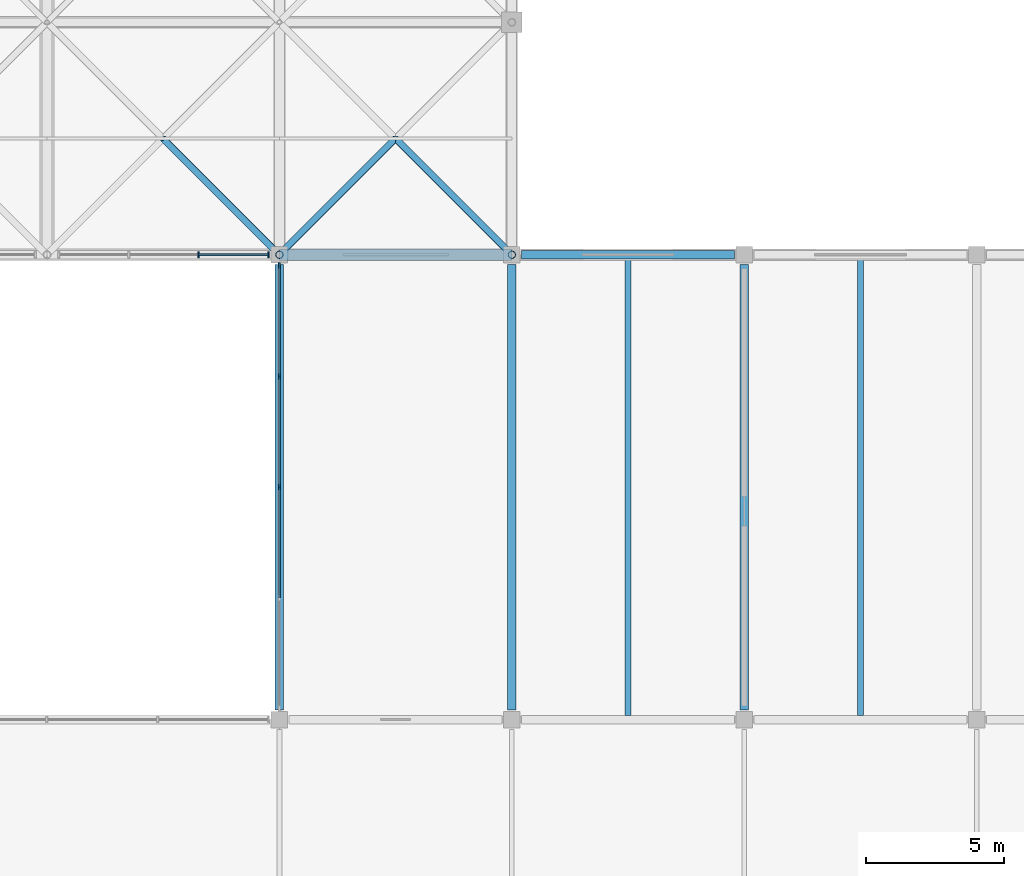
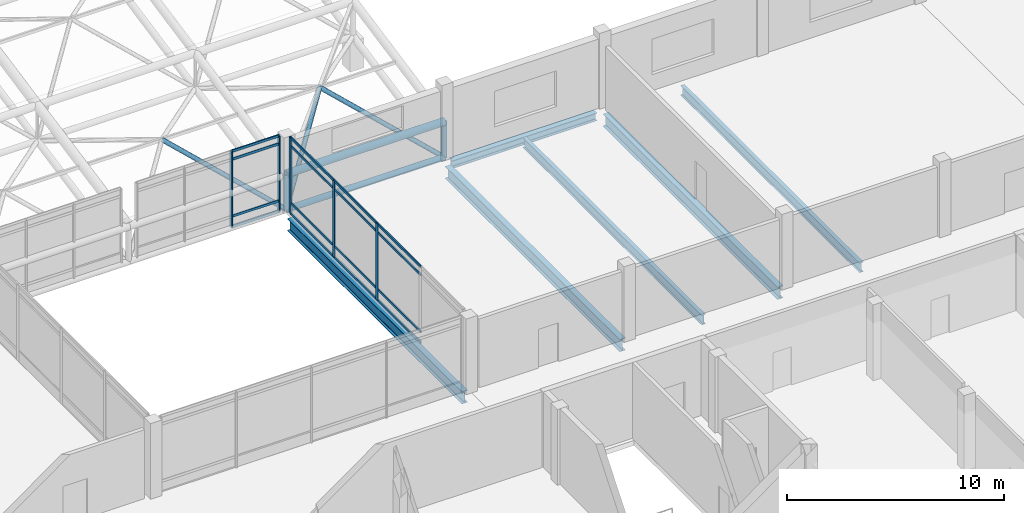
# One storey, part 22 of 81: 28 members, 6 beams, 2 elements without a shape of their own.
"""IFC4 building model written with IfcOpenShell, lengths in metres."""

from ifc_helpers import new_model, si_unit, direction, frame, origin, origin_2d, place, context, subcontext, project, spatial, rectangle, hollow_circle, i_section, extrude, material, layer, layer_set, material_profile, profile_set, type_object, element, aggregate, save


model = new_model("IFC4")

# Units and contexts
model_context = context("Model", 3, precision=1e-05, world=origin(), true_north=direction((0.0, 1.0)))
body_context = subcontext(model_context, "Body", "Model", "MODEL_VIEW")
ifc_project = project(units=[si_unit("LENGTHUNIT", "METRE"), si_unit("AREAUNIT", "SQUARE_METRE"), si_unit("VOLUMEUNIT", "CUBIC_METRE"), si_unit("PLANEANGLEUNIT", "RADIAN"), si_unit("MASSUNIT", "GRAM", prefix="KILO")], contexts=[model_context])

# Site, building, storey
site_placement = place(None, origin())
site = spatial("IfcSite", under=ifc_project, at=site_placement, CompositionType="ELEMENT")
building_placement = place(site_placement, origin())
building = spatial("IfcBuilding", under=site, at=building_placement, Name="Qawsi Khor Wholesale Market", CompositionType="ELEMENT")
storey_placement = place(building_placement, frame((0.0, 0.0, 16.199951171875)))
storey = spatial("IfcBuildingStorey", under=building, at=storey_placement, Name="L03", CompositionType="ELEMENT", Elevation=16.199951171875)

# Curtain wall, members
ifc_material_1 = material(Name="Aluminium Anodised Bronze", Category="aluminium")
ifc_layer = layer(ifc_material_1, 0.179931640625, Name="Aluminium Anodised Bronze")
ifc_layer_set = layer_set([ifc_layer], Name="Aluminium Anodised Bronze")
curtain_wall_type = type_object("IfcCurtainWallType", Name="Atrium Full-Height Curtain Wall CW-02", PredefinedType="NOTDEFINED", material=ifc_layer_set)
curtain_wall_1_placement = place(storey_placement, origin())
curtain_wall_1 = element("IfcCurtainWall", 1, at=curtain_wall_1_placement, inside=storey, type_object=curtain_wall_type, Name="Curtain wall CW-CW-02-L03-028", PredefinedType="NOTDEFINED")
ifc_material_profile_1 = material_profile(ifc_material_1, rectangle(XDim=0.070068359375, YDim=0.199951171875, at=origin_2d()), Name="ALU MULLION 70x200")
ifc_profile_set_1 = profile_set([ifc_material_profile_1], Name="Aluminium Anodised Bronze")
member_type_1 = type_object("IfcMemberType", Name="Curtain Wall Mullion CW-02 ALU MULLION 70x200", PredefinedType="MULLION", material=ifc_profile_set_1)
member_1_placement = place(storey_placement, frame((64.276611328125, 42.0, -0.02001953125), z_axis=(0.0, 0.0, 1.0), x_axis=(1.0, 0.0, 0.0)))
member_1 = element("IfcMember", 2, at=member_1_placement, type_object=member_type_1, Name="Mullion CW-CW-02-L03-028-M02", PredefinedType="MULLION", context=body_context, shape_type="SweptSolid", body=[
    extrude(rectangle(XDim=0.070068359375, YDim=0.199951171875, at=origin_2d()), origin(), (0.0, 0.0, 1.0), 4.280029296875),
])
member_2_placement = place(storey_placement, frame((66.804931640625, 42.0, -0.02001953125), z_axis=(0.0, 0.0, 1.0), x_axis=(1.0, 0.0, 0.0)))
member_2 = element("IfcMember", 3, at=member_2_placement, type_object=member_type_1, Name="Mullion CW-CW-02-L03-028-M03", PredefinedType="MULLION", context=body_context, shape_type="SweptSolid", body=[
    extrude(rectangle(XDim=0.070068359375, YDim=0.199951171875, at=origin_2d()), origin(), (0.0, 0.0, 1.0), 4.280029296875),
])

curtain_wall_2_placement = place(storey_placement, origin())
curtain_wall_2 = element("IfcCurtainWall", 4, at=curtain_wall_2_placement, inside=storey, type_object=curtain_wall_type, Name="Curtain wall CW-CW-02-L03-030", PredefinedType="NOTDEFINED")
member_3_placement = place(storey_placement, frame((67.199951171875, 33.60009765625, -0.02001953125), z_axis=(0.0, 0.0, 1.0), x_axis=(1.0, 0.0, 0.0)))
member_3 = element("IfcMember", 5, at=member_3_placement, type_object=member_type_1, Name="Mullion CW-CW-02-L03-030-M02", PredefinedType="MULLION", context=body_context, shape_type="SweptSolid", body=[
    extrude(rectangle(XDim=0.070068359375, YDim=0.199951171875, at=origin_2d()), origin(), (0.0, 0.0, 1.0), 4.280029296875),
])
member_4_placement = place(storey_placement, frame((67.199951171875, 37.6025390625, -0.02001953125), z_axis=(0.0, 0.0, 1.0), x_axis=(1.0, 0.0, 0.0)))
member_4 = element("IfcMember", 6, at=member_4_placement, type_object=member_type_1, Name="Mullion CW-CW-02-L03-030-M03", PredefinedType="MULLION", context=body_context, shape_type="SweptSolid", body=[
    extrude(rectangle(XDim=0.070068359375, YDim=0.199951171875, at=origin_2d()), origin(), (0.0, 0.0, 1.0), 4.280029296875),
])
member_5_placement = place(storey_placement, frame((67.199951171875, 41.60498046875, -0.02001953125), z_axis=(0.0, 0.0, 1.0), x_axis=(1.0, 0.0, 0.0)))
member_5 = element("IfcMember", 7, at=member_5_placement, type_object=member_type_1, Name="Mullion CW-CW-02-L03-030-M04", PredefinedType="MULLION", context=body_context, shape_type="SweptSolid", body=[
    extrude(rectangle(XDim=0.070068359375, YDim=0.199951171875, at=origin_2d()), origin(), (0.0, 0.0, 1.0), 4.280029296875),
])

# Member
ifc_material_profile_2 = material_profile(ifc_material_1, rectangle(XDim=0.06494140625, YDim=0.139892578125, at=origin_2d()), Name="ALU TRANSOM 65x140")
ifc_profile_set_2 = profile_set([ifc_material_profile_2], Name="Aluminium Anodised Bronze")
member_type_2 = type_object("IfcMemberType", Name="Curtain Wall Transom CW-02 ALU TRANSOM 65x140", PredefinedType="USERDEFINED", material=ifc_profile_set_2)
member_6_placement = place(storey_placement, frame((64.276611328125, 42.0, 0.0), z_axis=(1.0, 0.0, 0.0), x_axis=(0.0, 1.0, 0.0)))
member_6 = element("IfcMember", 8, at=member_6_placement, type_object=member_type_2, Name="Transom CW-CW-02-L03-028-T0_02", ObjectType="TRANSOM", PredefinedType="USERDEFINED", context=body_context, shape_type="SweptSolid", body=[
    extrude(rectangle(XDim=0.06494140625, YDim=0.139892578125, at=origin_2d()), origin(), (0.0, 0.0, 1.0), 2.5283203125),
])

member_7_placement = place(storey_placement, frame((64.276611328125, 42.0, 0.60009765625), z_axis=(1.0, 0.0, 0.0), x_axis=(0.0, 1.0, 0.0)))
member_7 = element("IfcMember", 9, at=member_7_placement, type_object=member_type_2, Name="Transom CW-CW-02-L03-028-T1_02", ObjectType="TRANSOM", PredefinedType="USERDEFINED", context=body_context, shape_type="SweptSolid", body=[
    extrude(rectangle(XDim=0.06494140625, YDim=0.139892578125, at=origin_2d()), origin(), (0.0, 0.0, 1.0), 2.5283203125),
])

member_8_placement = place(storey_placement, frame((64.276611328125, 42.0, 3.81005859375), z_axis=(1.0, 0.0, 0.0), x_axis=(0.0, 1.0, 0.0)))
member_8 = element("IfcMember", 10, at=member_8_placement, type_object=member_type_2, Name="Transom CW-CW-02-L03-028-T2_02", ObjectType="TRANSOM", PredefinedType="USERDEFINED", context=body_context, shape_type="SweptSolid", body=[
    extrude(rectangle(XDim=0.06494140625, YDim=0.139892578125, at=origin_2d()), origin(), (0.0, 0.0, 1.0), 2.5283203125),
])

member_9_placement = place(storey_placement, frame((64.276611328125, 42.0, 4.260009765625), z_axis=(1.0, 0.0, 0.0), x_axis=(0.0, 1.0, 0.0)))
member_9 = element("IfcMember", 11, at=member_9_placement, type_object=member_type_2, Name="Transom CW-CW-02-L03-028-T3_02", ObjectType="TRANSOM", PredefinedType="USERDEFINED", context=body_context, shape_type="SweptSolid", body=[
    extrude(rectangle(XDim=0.06494140625, YDim=0.139892578125, at=origin_2d()), origin(), (0.0, 0.0, 1.0), 2.5283203125),
])

aggregate(curtain_wall_1, [member_1, member_2, member_6, member_7, member_8, member_9])

member_10_placement = place(storey_placement, frame((67.199951171875, 29.597412109375, 0.0), z_axis=(0.0, 1.0, 0.0), x_axis=(-1.0, 0.0, 0.0)))
member_10 = element("IfcMember", 12, at=member_10_placement, type_object=member_type_2, Name="Transom CW-CW-02-L03-030-T0_01", ObjectType="TRANSOM", PredefinedType="USERDEFINED", context=body_context, shape_type="SweptSolid", body=[
    extrude(rectangle(XDim=0.06494140625, YDim=0.139892578125, at=origin_2d()), origin(), (0.0, 0.0, 1.0), 4.002685546875),
])

member_11_placement = place(storey_placement, frame((67.199951171875, 33.60009765625, 0.0), z_axis=(0.0, 1.0, 0.0), x_axis=(-1.0, 0.0, 0.0)))
member_11 = element("IfcMember", 13, at=member_11_placement, type_object=member_type_2, Name="Transom CW-CW-02-L03-030-T0_02", ObjectType="TRANSOM", PredefinedType="USERDEFINED", context=body_context, shape_type="SweptSolid", body=[
    extrude(rectangle(XDim=0.06494140625, YDim=0.139892578125, at=origin_2d()), origin(), (0.0, 0.0, 1.0), 4.00244140625),
])

member_12_placement = place(storey_placement, frame((67.199951171875, 37.6025390625, 0.0), z_axis=(0.0, 1.0, 0.0), x_axis=(-1.0, 0.0, 0.0)))
member_12 = element("IfcMember", 14, at=member_12_placement, type_object=member_type_2, Name="Transom CW-CW-02-L03-030-T0_03", ObjectType="TRANSOM", PredefinedType="USERDEFINED", context=body_context, shape_type="SweptSolid", body=[
    extrude(rectangle(XDim=0.06494140625, YDim=0.139892578125, at=origin_2d()), origin(), (0.0, 0.0, 1.0), 4.00244140625),
])

member_13_placement = place(storey_placement, frame((67.199951171875, 29.597412109375, 0.60009765625), z_axis=(0.0, 1.0, 0.0), x_axis=(-1.0, 0.0, 0.0)))
member_13 = element("IfcMember", 15, at=member_13_placement, type_object=member_type_2, Name="Transom CW-CW-02-L03-030-T1_01", ObjectType="TRANSOM", PredefinedType="USERDEFINED", context=body_context, shape_type="SweptSolid", body=[
    extrude(rectangle(XDim=0.06494140625, YDim=0.139892578125, at=origin_2d()), origin(), (0.0, 0.0, 1.0), 4.002685546875),
])

member_14_placement = place(storey_placement, frame((67.199951171875, 33.60009765625, 0.60009765625), z_axis=(0.0, 1.0, 0.0), x_axis=(-1.0, 0.0, 0.0)))
member_14 = element("IfcMember", 16, at=member_14_placement, type_object=member_type_2, Name="Transom CW-CW-02-L03-030-T1_02", ObjectType="TRANSOM", PredefinedType="USERDEFINED", context=body_context, shape_type="SweptSolid", body=[
    extrude(rectangle(XDim=0.06494140625, YDim=0.139892578125, at=origin_2d()), origin(), (0.0, 0.0, 1.0), 4.00244140625),
])

member_15_placement = place(storey_placement, frame((67.199951171875, 37.6025390625, 0.60009765625), z_axis=(0.0, 1.0, 0.0), x_axis=(-1.0, 0.0, 0.0)))
member_15 = element("IfcMember", 17, at=member_15_placement, type_object=member_type_2, Name="Transom CW-CW-02-L03-030-T1_03", ObjectType="TRANSOM", PredefinedType="USERDEFINED", context=body_context, shape_type="SweptSolid", body=[
    extrude(rectangle(XDim=0.06494140625, YDim=0.139892578125, at=origin_2d()), origin(), (0.0, 0.0, 1.0), 4.00244140625),
])

member_16_placement = place(storey_placement, frame((67.199951171875, 29.597412109375, 3.81005859375), z_axis=(0.0, 1.0, 0.0), x_axis=(-1.0, 0.0, 0.0)))
member_16 = element("IfcMember", 18, at=member_16_placement, type_object=member_type_2, Name="Transom CW-CW-02-L03-030-T2_01", ObjectType="TRANSOM", PredefinedType="USERDEFINED", context=body_context, shape_type="SweptSolid", body=[
    extrude(rectangle(XDim=0.06494140625, YDim=0.139892578125, at=origin_2d()), origin(), (0.0, 0.0, 1.0), 4.002685546875),
])

member_17_placement = place(storey_placement, frame((67.199951171875, 33.60009765625, 3.81005859375), z_axis=(0.0, 1.0, 0.0), x_axis=(-1.0, 0.0, 0.0)))
member_17 = element("IfcMember", 19, at=member_17_placement, type_object=member_type_2, Name="Transom CW-CW-02-L03-030-T2_02", ObjectType="TRANSOM", PredefinedType="USERDEFINED", context=body_context, shape_type="SweptSolid", body=[
    extrude(rectangle(XDim=0.06494140625, YDim=0.139892578125, at=origin_2d()), origin(), (0.0, 0.0, 1.0), 4.00244140625),
])

member_18_placement = place(storey_placement, frame((67.199951171875, 37.6025390625, 3.81005859375), z_axis=(0.0, 1.0, 0.0), x_axis=(-1.0, 0.0, 0.0)))
member_18 = element("IfcMember", 20, at=member_18_placement, type_object=member_type_2, Name="Transom CW-CW-02-L03-030-T2_03", ObjectType="TRANSOM", PredefinedType="USERDEFINED", context=body_context, shape_type="SweptSolid", body=[
    extrude(rectangle(XDim=0.06494140625, YDim=0.139892578125, at=origin_2d()), origin(), (0.0, 0.0, 1.0), 4.00244140625),
])

member_19_placement = place(storey_placement, frame((67.199951171875, 29.597412109375, 4.260009765625), z_axis=(0.0, 1.0, 0.0), x_axis=(-1.0, 0.0, 0.0)))
member_19 = element("IfcMember", 21, at=member_19_placement, type_object=member_type_2, Name="Transom CW-CW-02-L03-030-T3_01", ObjectType="TRANSOM", PredefinedType="USERDEFINED", context=body_context, shape_type="SweptSolid", body=[
    extrude(rectangle(XDim=0.06494140625, YDim=0.139892578125, at=origin_2d()), origin(), (0.0, 0.0, 1.0), 4.002685546875),
])

member_20_placement = place(storey_placement, frame((67.199951171875, 33.60009765625, 4.260009765625), z_axis=(0.0, 1.0, 0.0), x_axis=(-1.0, 0.0, 0.0)))
member_20 = element("IfcMember", 22, at=member_20_placement, type_object=member_type_2, Name="Transom CW-CW-02-L03-030-T3_02", ObjectType="TRANSOM", PredefinedType="USERDEFINED", context=body_context, shape_type="SweptSolid", body=[
    extrude(rectangle(XDim=0.06494140625, YDim=0.139892578125, at=origin_2d()), origin(), (0.0, 0.0, 1.0), 4.00244140625),
])

member_21_placement = place(storey_placement, frame((67.199951171875, 37.6025390625, 4.260009765625), z_axis=(0.0, 1.0, 0.0), x_axis=(-1.0, 0.0, 0.0)))
member_21 = element("IfcMember", 23, at=member_21_placement, type_object=member_type_2, Name="Transom CW-CW-02-L03-030-T3_03", ObjectType="TRANSOM", PredefinedType="USERDEFINED", context=body_context, shape_type="SweptSolid", body=[
    extrude(rectangle(XDim=0.06494140625, YDim=0.139892578125, at=origin_2d()), origin(), (0.0, 0.0, 1.0), 4.00244140625),
])

aggregate(curtain_wall_2, [member_3, member_4, member_5, member_10, member_11, member_12, member_13, member_14, member_15, member_16, member_17, member_18, member_19, member_20, member_21])

# Beams
ifc_material_2 = material(Name="Steel S355", Category="steel")
ifc_material_profile_3 = material_profile(ifc_material_2, i_section(OverallWidth=0.300048828125, OverallDepth=0.43994140625, WebThickness=0.011474609375, FlangeThickness=0.02099609375, FilletRadius=0.027099609375, at=origin_2d()), Name="HEA 450")
ifc_profile_set_3 = profile_set([ifc_material_profile_3], Name="Steel S355")
beam_type_1 = type_object("IfcBeamType", Name="Primary Girder HEA 450", PredefinedType="BEAM", material=ifc_profile_set_3)
beam_placement = place(storey_placement, frame((75.949951171875, 42.0, -0.5), z_axis=(1.0, 0.0, 0.0), x_axis=(0.0, 1.0, 0.0)))
element("IfcBeam", 24, at=beam_placement, inside=storey, type_object=beam_type_1, Name="BM-X-L03-09_+05", PredefinedType="BEAM", context=body_context, shape_type="SweptSolid", body=[
    extrude(i_section(OverallWidth=0.300048828125, OverallDepth=0.43994140625, WebThickness=0.011474609375, FlangeThickness=0.02099609375, FilletRadius=0.027099609375, at=origin_2d()), origin(), (0.0, 0.0, 1.0), 7.699951171875),
])
ifc_material_profile_4 = material_profile(ifc_material_2, i_section(OverallWidth=0.300048828125, OverallDepth=0.68994140625, WebThickness=0.014404296875, FlangeThickness=0.027099609375, FilletRadius=0.027099609375, at=origin_2d()), Name="HEA 700")
ifc_profile_set_4 = profile_set([ifc_material_profile_4], Name="Steel S355")
beam_type_2 = type_object("IfcBeamType", Name="Primary Girder HEA 700", PredefinedType="BEAM", material=ifc_profile_set_4)
for number, where, z_axis, x_axis, name in (
    (25, (67.199951171875, 25.550048828125, -0.625), (0.0, 1.0, 0.0), (-1.0, 0.0, 0.0), "BM-YL-L03-08_+03"),
    (26, (75.60009765625, 25.550048828125, -0.625), (0.0, 1.0, 0.0), (-1.0, 0.0, 0.0), "BM-YL-L03-09_+03"),
    (27, (84.0, 25.550048828125, -0.625), (0.0, 1.0, 0.0), (-1.0, 0.0, 0.0), "BM-YL-L03-10_+03"),
):
    element("IfcBeam", number, at=place(storey_placement, frame(where, z_axis=z_axis, x_axis=x_axis)), inside=storey, type_object=beam_type_2, Name=name, PredefinedType="BEAM", context=body_context, shape_type="SweptSolid", body=[
        extrude(i_section(OverallWidth=0.300048828125, OverallDepth=0.68994140625, WebThickness=0.014404296875, FlangeThickness=0.027099609375, FilletRadius=0.027099609375, at=origin_2d()), origin(), (0.0, 0.0, 1.0), 16.099853515625),
    ])
ifc_material_profile_5 = material_profile(ifc_material_2, i_section(OverallWidth=0.2099609375, OverallDepth=0.550048828125, WebThickness=0.010986328125, FlangeThickness=0.01708984375, FilletRadius=0.02392578125, at=origin_2d()), Name="IPE 550")
ifc_profile_set_5 = profile_set([ifc_material_profile_5], Name="Steel S355")
beam_type_3 = type_object("IfcBeamType", Name="Secondary Beam IPE 550", PredefinedType="BEAM", material=ifc_profile_set_5)
for number, where, z_axis, x_axis, name in (
    (28, (79.800048828125, 25.35009765625, -0.554931640625), (0.0, 1.0, 0.0), (-1.0, 0.0, 0.0), "JST-M-L03-09"),
    (29, (88.199951171875, 25.35009765625, -0.554931640625), (0.0, 1.0, 0.0), (-1.0, 0.0, 0.0), "JST-M-L03-10"),
):
    element("IfcBeam", number, at=place(storey_placement, frame(where, z_axis=z_axis, x_axis=x_axis)), inside=storey, type_object=beam_type_3, Name=name, PredefinedType="BEAM", context=body_context, shape_type="SweptSolid", body=[
        extrude(i_section(OverallWidth=0.2099609375, OverallDepth=0.550048828125, WebThickness=0.010986328125, FlangeThickness=0.01708984375, FilletRadius=0.02392578125, at=origin_2d()), origin(), (0.0, 0.0, 1.0), 16.5),
    ])

# Members
ifc_material_profile_6 = material_profile(ifc_material_2, hollow_circle(Radius=0.136474609375, WallThickness=0.012451171875, at=origin_2d()), Name="CHS 273.0x12.5")
ifc_profile_set_6 = profile_set([ifc_material_profile_6], Name="Steel S355")
member_type_3 = type_object("IfcMemberType", Name="Space-Frame Edge Post CHS 273.0x12.5", PredefinedType="POST", material=ifc_profile_set_6)
for number, where, z_axis, x_axis, name in (
    (30, (67.199951171875, 42.0, -0.030029296875), (0.0, 0.0, 1.0), (1.0, 0.0, 0.0), "Space frame post WH (8,5)"),
    (31, (75.60009765625, 42.0, -0.030029296875), (0.0, 0.0, 1.0), (1.0, 0.0, 0.0), "Space frame post WH (9,5)"),
):
    element("IfcMember", number, at=place(storey_placement, frame(where, z_axis=z_axis, x_axis=x_axis)), inside=storey, type_object=member_type_3, Name=name, PredefinedType="POST", context=body_context, shape_type="SweptSolid", body=[
        extrude(hollow_circle(Radius=0.136474609375, WallThickness=0.012451171875, at=origin_2d()), origin(), (0.0, 0.0, 1.0), 2.0),
    ])
ifc_material_profile_7 = material_profile(ifc_material_2, hollow_circle(Radius=0.122314453125, WallThickness=0.012451171875, at=origin_2d()), Name="CHS 244.5x12.5")
ifc_profile_set_7 = profile_set([ifc_material_profile_7], Name="Steel S355")
member_type_4 = type_object("IfcMemberType", Name="Space-Frame Heavy Diagonal CHS 244.5x12.5", PredefinedType="POST", material=ifc_profile_set_7)
for number, where, z_axis, x_axis, name in (
    (32, (67.199951171875, 42.0, -0.030029296875), (-0.637511741089, 0.637511741089, 0.432617105474), (-0.707106781187, -0.707106781187, 0.0), "Space frame diagonal WH (7,5)-2"),
    (33, (67.199951171875, 42.0, -0.030029296875), (0.637511741089, 0.637511741089, 0.432617105474), (-0.707106781187, 0.707106781187, 0.0), "Space frame diagonal WH (8,5)-1"),
    (34, (75.60009765625, 42.0, -0.030029296875), (-0.637533737254, 0.637496679957, 0.432606884951), (-0.70708622964, -0.707127332136, 0.0), "Space frame diagonal WH (8,5)-2"),
):
    element("IfcMember", number, at=place(storey_placement, frame(where, z_axis=z_axis, x_axis=x_axis)), inside=storey, type_object=member_type_4, Name=name, PredefinedType="POST", context=body_context, shape_type="SweptSolid", body=[
        extrude(hollow_circle(Radius=0.122314453125, WallThickness=0.012451171875, at=origin_2d()), origin(), (0.0, 0.0, 1.0), 6.588134765625),
    ])
ifc_material_profile_8 = material_profile(ifc_material_2, hollow_circle(Radius=0.161865234375, WallThickness=0.01611328125, at=origin_2d()), Name="CHS 323.9x16.0")
ifc_profile_set_8 = profile_set([ifc_material_profile_8], Name="Steel S355")
member_type_5 = type_object("IfcMemberType", Name="Space-Frame Secondary Chord CHS 323.9x16.0", PredefinedType="CHORD", material=ifc_profile_set_8)
member_22_placement = place(storey_placement, frame((67.199951171875, 42.0, -0.030029296875), z_axis=(1.0, 0.0, 0.0), x_axis=(0.0, 1.0, 0.0)))
element("IfcMember", 35, at=member_22_placement, inside=storey, type_object=member_type_5, Name="Space frame bottom chord X WH (8,5)", PredefinedType="CHORD", context=body_context, shape_type="SweptSolid", body=[
    extrude(hollow_circle(Radius=0.161865234375, WallThickness=0.01611328125, at=origin_2d()), origin(), (0.0, 0.0, 1.0), 8.400146484375),
])
ifc_material_profile_9 = material_profile(ifc_material_2, hollow_circle(Radius=0.203125, WallThickness=0.02001953125, at=origin_2d()), Name="CHS 406.4x20.0")
ifc_profile_set_9 = profile_set([ifc_material_profile_9], Name="Steel S355")
member_type_6 = type_object("IfcMemberType", Name="Space-Frame Top Chord CHS 406.4x20.0", PredefinedType="CHORD", material=ifc_profile_set_9)
member_23_placement = place(storey_placement, frame((67.199951171875, 42.0, 1.969970703125), z_axis=(1.0, 0.0, 0.0), x_axis=(0.0, 1.0, 0.0)))
element("IfcMember", 36, at=member_23_placement, inside=storey, type_object=member_type_6, Name="Space frame top chord X WH (8,5)", PredefinedType="CHORD", context=body_context, shape_type="SweptSolid", body=[
    extrude(hollow_circle(Radius=0.203125, WallThickness=0.02001953125, at=origin_2d()), origin(), (0.0, 0.0, 1.0), 8.400146484375),
])

save(model, "model.ifc")
